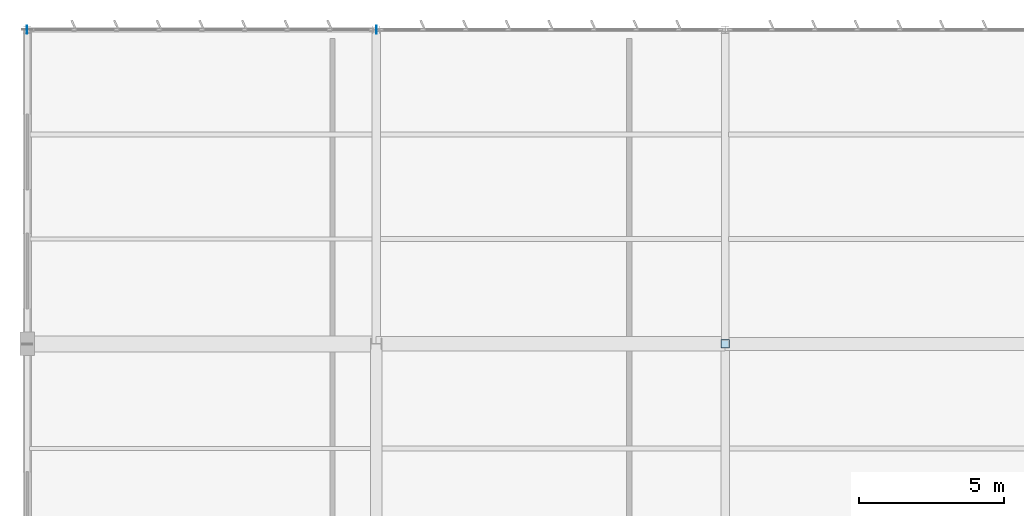
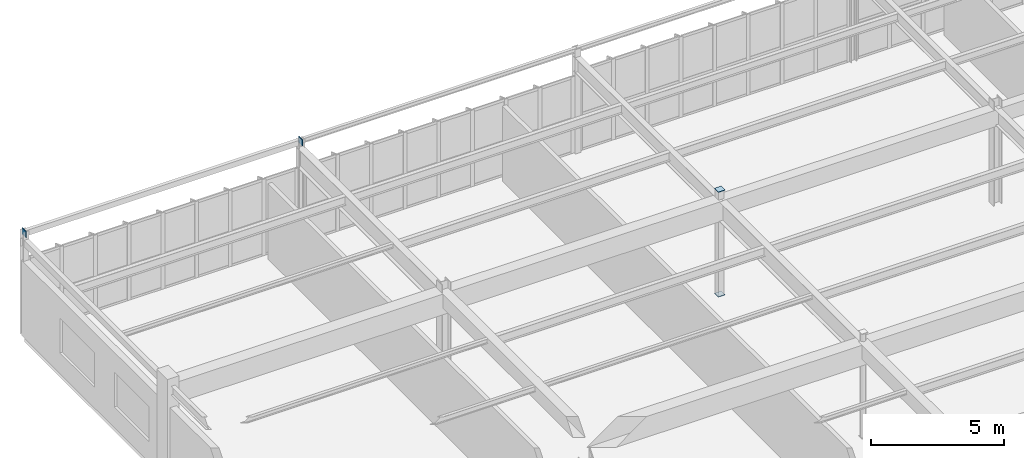
# One storey, part 170 of 226: 4 plates.
"""IFC4 building model written with IfcOpenShell, lengths in metres."""

from ifc_helpers import new_model, si_unit, direction, frame, origin, origin_2d, place, context, subcontext, project, spatial, rectangle, extrude, material, layer, layer_set, type_object, element, save


model = new_model("IFC4")

# Units and contexts
model_context = context("Model", 3, precision=1e-05, world=origin(), true_north=direction((0.0, 1.0)))
body_context = subcontext(model_context, "Body", "Model", "MODEL_VIEW")
ifc_project = project(units=[si_unit("LENGTHUNIT", "METRE"), si_unit("AREAUNIT", "SQUARE_METRE"), si_unit("VOLUMEUNIT", "CUBIC_METRE"), si_unit("PLANEANGLEUNIT", "RADIAN"), si_unit("MASSUNIT", "GRAM", prefix="KILO")], contexts=[model_context])

# Site, building, storey
site_placement = place(None, origin())
site = spatial("IfcSite", under=ifc_project, at=site_placement, CompositionType="ELEMENT")
building_placement = place(site_placement, origin())
building = spatial("IfcBuilding", under=site, at=building_placement, Name="Tarnwether General Hospital", CompositionType="ELEMENT")
storey_placement = place(building_placement, frame((0.0, 0.0, 4.800048828125)))
storey = spatial("IfcBuildingStorey", under=building, at=storey_placement, Name="L01", CompositionType="ELEMENT", Elevation=4.800048828125)

# Plates
ifc_material = material(Name="Steel Grade 350 (350 MPa)", Category="steel")
ifc_layer = layer(ifc_material, 0.02490234375)
ifc_layer_set = layer_set([ifc_layer], Name="Steel Grade 350 (350 MPa)")
plate_type = type_object("IfcPlateType", Name="PT-GUS2", PredefinedType="USERDEFINED", material=ifc_layer_set)
for number, where, z_axis, x_axis, name in (
    (1, (24.0, 115.199951171875, -0.02490234375), (0.0, 0.0, 1.0), (1.0, 0.0, 0.0), "Hollow Section Welded End Cap Plate 0069"),
    (2, (24.0, 115.199951171875, 4.800048828125), (0.0, 0.0, 1.0), (1.0, 0.0, 0.0), "Hollow Section Welded End Cap Plate 0070"),
):
    element("IfcPlate", number, at=place(storey_placement, frame(where, z_axis=z_axis, x_axis=x_axis)), inside=storey, type_object=plate_type, Name=name, ObjectType="GUSSET", PredefinedType="USERDEFINED", context=body_context, shape_type="SweptSolid", body=[
        extrude(rectangle(XDim=0.2900390625, YDim=0.2900390625, at=origin_2d()), origin(), (0.0, 0.0, 1.0), 0.02490234375),
    ])
for number, where, z_axis, x_axis, name in (
    (3, (-0.012451171875, 126.0, 4.530029296875), (0.0, 0.0, 1.0), (1.0, 0.0, 0.0), "Hollow Section Welded End Cap Plate 0913"),
    (4, (12.012451171875, 126.0, 4.530029296875), (0.0, 0.0, 1.0), (1.0, 0.0, 0.0), "Hollow Section Welded End Cap Plate 0914"),
):
    element("IfcPlate", number, at=place(storey_placement, frame(where, z_axis=z_axis, x_axis=x_axis)), inside=storey, type_object=plate_type, Name=name, ObjectType="GUSSET", PredefinedType="USERDEFINED", context=body_context, shape_type="SweptSolid", body=[
        extrude(rectangle(XDim=0.02490234375, YDim=0.2900390625, at=origin_2d()), origin(), (0.0, 0.0, 1.0), 0.2900390625),
    ])

save(model, "model.ifc")
